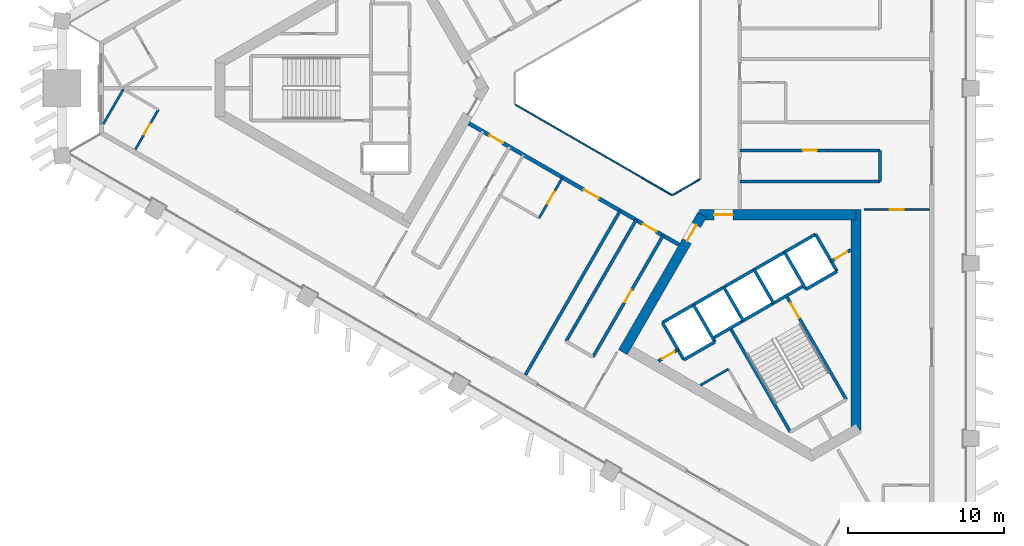
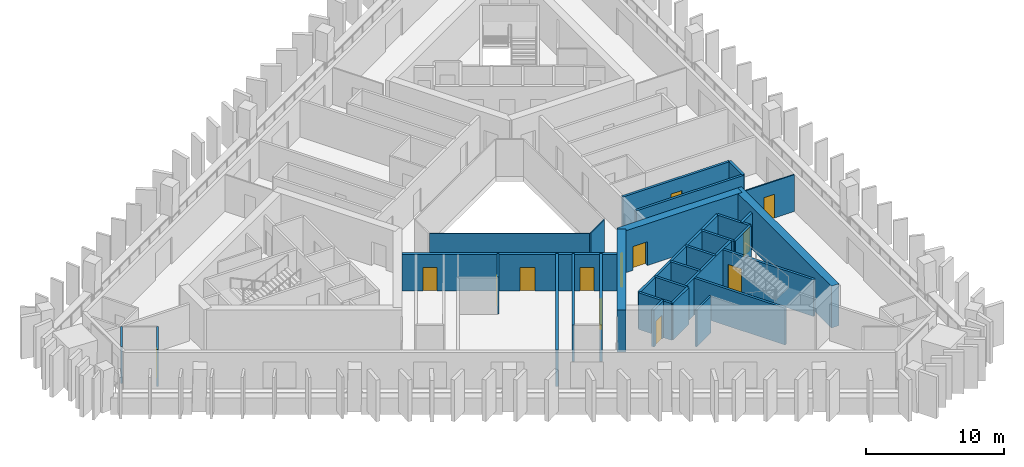
# One storey, part 3 of 11: 31 walls, 13 doors, 13 openings.
"""IFC4 building model written with IfcOpenShell, lengths in metres."""

from ifc_helpers import new_model, si_unit, direction, frame, frame_2d, origin, place, context, subcontext, project, spatial, rectangle, extrude, material, layer, layer_set, type_object, element, fill, save


model = new_model("IFC4")

# Units and contexts
model_context = context("Model", 3, precision=1e-05, world=origin(), true_north=direction((0.0, 1.0)))
body_context = subcontext(model_context, "Body", "Model", "MODEL_VIEW")
ifc_project = project(units=[si_unit("LENGTHUNIT", "METRE"), si_unit("AREAUNIT", "SQUARE_METRE"), si_unit("VOLUMEUNIT", "CUBIC_METRE"), si_unit("PLANEANGLEUNIT", "RADIAN"), si_unit("MASSUNIT", "GRAM", prefix="KILO")], contexts=[model_context])

# Site, building, storey
site_placement = place(None, origin())
site = spatial("IfcSite", under=ifc_project, at=site_placement, CompositionType="ELEMENT")
building_placement = place(site_placement, origin())
building = spatial("IfcBuilding", under=site, at=building_placement, Name="Jabali Bay Hotel Tower and Convention Centre", CompositionType="ELEMENT")
storey_placement = place(building_placement, frame((0.0, 0.0, 132.699951171875)))
storey = spatial("IfcBuildingStorey", under=building, at=storey_placement, Name="L32", CompositionType="ELEMENT", Elevation=132.699951171875)

# Walls
ifc_material_1 = material(Name="Fire-resistant glazing", Category="glass")
ifc_layer_1 = layer(ifc_material_1, 0.10009765625)
ifc_layer_set_1 = layer_set([ifc_layer_1], Name="Fire-resistant glazing")
wall_type_1 = type_object("IfcWallType", Name="Atrium glazed screen 100", PredefinedType="PARTITIONING", material=ifc_layer_set_1)
wall_1_placement = place(storey_placement, frame((67.7021484375, 78.947998046875, 0.0), z_axis=(0.0, 0.0, 1.0), x_axis=(0.866026658274, -0.499997827154, 0.0)))
element("IfcWall", 1, at=wall_1_placement, inside=storey, type_object=wall_type_1, Name="Atrium screen 5 L32", PredefinedType="PARTITIONING", context=body_context, shape_type="SweptSolid", body=[
    extrude(rectangle(XDim=11.58837890625, YDim=0.10009765625, at=frame_2d((5.794189453125, 0.0))), origin(), (0.0, 0.0, 1.0), 3.25),
])
wall_2_placement = place(storey_placement, frame((77.7978515625, 73.15380859375, 0.0), z_axis=(0.0, 0.0, 1.0), x_axis=(0.866041268327, 0.499972520799, 0.0)))
element("IfcWall", 2, at=wall_2_placement, inside=storey, type_object=wall_type_1, Name="Atrium screen 6 L32", PredefinedType="PARTITIONING", context=body_context, shape_type="SweptSolid", body=[
    extrude(rectangle(XDim=2.0, YDim=0.10009765625, at=frame_2d((1.0, 0.0))), origin(), (0.0, 0.0, 1.0), 3.25),
])

# Wall, opening, door
ifc_material_2 = material(Name="Concrete C40", Category="concrete")
ifc_layer_2 = layer(ifc_material_2, 0.199951171875)
ifc_layer_set_2 = layer_set([ifc_layer_2], Name="Concrete C40")
wall_type_2 = type_object("IfcWallType", Name="Core partition wall 200", PredefinedType="PARTITIONING", material=ifc_layer_set_2)
wall_3_placement = place(storey_placement, frame((76.869873046875, 62.489013671875, 0.0), z_axis=(0.0, 0.0, 1.0), x_axis=(0.866054810376, 0.49994906283, 0.0)))
wall_3 = element("IfcWall", 3, at=wall_3_placement, inside=storey, type_object=wall_type_2, Name="Core wall 2.11 L32", PredefinedType="PARTITIONING", context=body_context, shape_type="SweptSolid", body=[
    extrude(rectangle(XDim=1.461181640625, YDim=0.199951171875, at=frame_2d((0.73046875, 0.0))), origin(), (0.0, 0.0, 1.0), 3.25),
])
opening_1_placement = place(wall_3_placement, frame((0.280517578125, 0.0, 0.0)))
opening_1 = element("IfcOpeningElement", 4, at=opening_1_placement, cuts=wall_3, Name="Opening D719", PredefinedType="OPENING", context=body_context, shape_type="SweptSolid", body=[
    extrude(rectangle(XDim=0.89990234375, YDim=2.10009765625, at=frame_2d((0.449951171875, 1.050048828125))), frame((0.0, 0.1103515625, 0.0), z_axis=(0.0, -1.0, 0.0), x_axis=(1.0, 0.0, 0.0)), (0.0, 0.0, 1.0), 0.220947265625),
])
ifc_material_3 = material(Name="Fire-rated steel door", Category="steel")
door_type_1 = type_object("IfcDoorType", Name="Vestibule fire door 900 x 2100", OperationType="NOTDEFINED", PredefinedType="NOTDEFINED", material=ifc_material_3)
door_1_placement = place(opening_1_placement, origin())
door_1 = element("IfcDoor", 5, at=door_1_placement, inside=storey, type_object=door_type_1, Name="Vestibule fire door D719", OperationType="SINGLE_SWING_LEFT", OverallHeight=2.10009765625, OverallWidth=0.89990234375, PredefinedType="NOTDEFINED", context=body_context, shape_type="SweptSolid", body=[
    extrude(rectangle(XDim=0.89990234375, YDim=2.10009765625, at=frame_2d((0.449951171875, 1.050048828125))), frame((0.0, 0.02490234375, 0.0), z_axis=(0.0, -1.0, 0.0), x_axis=(1.0, 0.0, 0.0)), (0.0, 0.0, 1.0), 0.050048828125),
])
fill(opening_1, door_1)

wall_4_placement = place(storey_placement, frame((87.964599609375, 68.89453125, 0.0), z_axis=(0.0, 0.0, 1.0), x_axis=(0.866054810376, 0.49994906283, 0.0)))
wall_4 = element("IfcWall", 6, at=wall_4_placement, inside=storey, type_object=wall_type_2, Name="Core wall 2.12 L32", PredefinedType="PARTITIONING", context=body_context, shape_type="SweptSolid", body=[
    extrude(rectangle(XDim=1.461181640625, YDim=0.199951171875, at=frame_2d((0.73046875, 0.0))), origin(), (0.0, 0.0, 1.0), 3.25),
])
opening_2_placement = place(wall_4_placement, frame((0.280517578125, 0.0, 0.0)))
opening_2 = element("IfcOpeningElement", 7, at=opening_2_placement, cuts=wall_4, Name="Opening D718", PredefinedType="OPENING", context=body_context, shape_type="SweptSolid", body=[
    extrude(rectangle(XDim=0.89990234375, YDim=2.10009765625, at=frame_2d((0.449951171875, 1.050048828125))), frame((0.0, 0.1103515625, 0.0), z_axis=(0.0, -1.0, 0.0), x_axis=(1.0, 0.0, 0.0)), (0.0, 0.0, 1.0), 0.220947265625),
])
door_2_placement = place(opening_2_placement, origin())
door_2 = element("IfcDoor", 8, at=door_2_placement, inside=storey, type_object=door_type_1, Name="Vestibule fire door D718", OperationType="SINGLE_SWING_LEFT", OverallHeight=2.10009765625, OverallWidth=0.89990234375, PredefinedType="NOTDEFINED", context=body_context, shape_type="SweptSolid", body=[
    extrude(rectangle(XDim=0.89990234375, YDim=2.10009765625, at=frame_2d((0.449951171875, 1.050048828125))), frame((0.0, 0.02490234375, 0.0), z_axis=(0.0, -1.0, 0.0), x_axis=(1.0, 0.0, 0.0)), (0.0, 0.0, 1.0), 0.050048828125),
])
fill(opening_2, door_2)

# Walls
ifc_material_4 = material(Name="Fire-rated board partition")
ifc_layer_3 = layer(ifc_material_4, 0.14990234375)
ifc_layer_set_3 = layer_set([ifc_layer_3], Name="Fire-rated board partition")
wall_type_3 = type_object("IfcWallType", Name="Core room partition 150", PredefinedType="PARTITIONING", material=ifc_layer_set_3)
wall_5_placement = place(storey_placement, frame((79.570068359375, 60.93017578125, 0.0), z_axis=(0.0, 0.0, 1.0), x_axis=(0.866021168401, 0.500007335828, 0.0)))
element("IfcWall", 9, at=wall_5_placement, inside=storey, type_object=wall_type_3, Name="Core wall 2.16 L32", PredefinedType="PARTITIONING", context=body_context, shape_type="SweptSolid", body=[
    extrude(rectangle(XDim=2.0771484375, YDim=0.14990234375, at=frame_2d((1.03857421875, 0.0))), origin(), (0.0, 0.0, 1.0), 3.25),
])
ifc_layer_4 = layer(ifc_material_2, 0.199951171875)
ifc_layer_set_4 = layer_set([ifc_layer_4], Name="Concrete C40")
wall_type_4 = type_object("IfcWallType", Name="Core stair wall 200", PredefinedType="SOLIDWALL", material=ifc_layer_set_4)
for number, where, z_axis, x_axis, name in (
    (10, (77.13525390625, 64.95166015625, 0.0), (0.0, 0.0, 1.0), (0.499996545922, -0.866027397988, 0.0), "Core wall 2.0 L32"),
    (11, (79.127197265625, 66.1015625, 0.0), (0.0, 0.0, 1.0), (0.499996545922, -0.866027397988, 0.0), "Core wall 2.2 L32"),
):
    element("IfcWall", number, at=place(storey_placement, frame(where, z_axis=z_axis, x_axis=x_axis)), inside=storey, type_object=wall_type_4, Name=name, PredefinedType="SOLIDWALL", context=body_context, shape_type="SweptSolid", body=[
        extrude(rectangle(XDim=2.75, YDim=0.199951171875, at=frame_2d((1.375, 0.0))), origin(), (0.0, 0.0, 1.0), 3.25),
    ])
wall_6_placement = place(storey_placement, frame((81.492919921875, 64.603759765625, 0.0), z_axis=(0.0, 0.0, 1.0), x_axis=(0.500006057782, -0.866021906294, 0.0)))
element("IfcWall", 12, at=wall_6_placement, inside=storey, type_object=wall_type_4, Name="Core wall 2.3 L32", PredefinedType="SOLIDWALL", context=body_context, shape_type="SweptSolid", body=[
    extrude(rectangle(XDim=7.7001953125, YDim=0.199951171875, at=frame_2d((3.85009765625, 0.0))), origin(), (0.0, 0.0, 1.0), 3.25),
])
for number, where, z_axis, x_axis, name in (
    (13, (81.07568359375, 67.2265625, 0.0), (0.0, 0.0, 1.0), (0.50000366821, -0.866023285932, 0.0), "Core wall 2.4 L32"),
    (14, (83.024169921875, 68.3515625, 0.0), (0.0, 0.0, 1.0), (0.50000366821, -0.866023285932, 0.0), "Core wall 2.6 L32"),
):
    element("IfcWall", number, at=place(storey_placement, frame(where, z_axis=z_axis, x_axis=x_axis)), inside=storey, type_object=wall_type_4, Name=name, PredefinedType="SOLIDWALL", context=body_context, shape_type="SweptSolid", body=[
        extrude(rectangle(XDim=2.47998046875, YDim=0.199951171875, at=frame_2d((1.239990234375, 0.0))), origin(), (0.0, 0.0, 1.0), 3.25),
    ])

# Wall, opening, door
wall_7_placement = place(storey_placement, frame((85.0869140625, 66.6787109375, 0.0), z_axis=(0.0, 0.0, 1.0), x_axis=(0.500019787375, -0.866013979237, 0.0)))
wall_7 = element("IfcWall", 15, at=wall_7_placement, inside=storey, type_object=wall_type_4, Name="Core wall 2.7 L32", PredefinedType="SOLIDWALL", context=body_context, shape_type="SweptSolid", body=[
    extrude(rectangle(XDim=7.699951171875, YDim=0.199951171875, at=frame_2d((3.85009765625, 0.0))), origin(), (0.0, 0.0, 1.0), 3.25),
])
opening_3_placement = place(wall_7_placement, frame((0.550048828125, 0.0, 0.0)))
opening_3 = element("IfcOpeningElement", 16, at=opening_3_placement, cuts=wall_7, Name="Opening D720", PredefinedType="OPENING", context=body_context, shape_type="SweptSolid", body=[
    extrude(rectangle(XDim=1.10009765625, YDim=2.10009765625, at=frame_2d((0.550048828125, 1.050048828125))), frame((0.0, 0.1103515625, 0.0), z_axis=(0.0, -1.0, 0.0), x_axis=(1.0, 0.0, 0.0)), (0.0, 0.0, 1.0), 0.220947265625),
])
door_type_2 = type_object("IfcDoorType", Name="Stair fire door 1100 x 2100", OperationType="NOTDEFINED", PredefinedType="NOTDEFINED", material=ifc_material_3)
door_3_placement = place(opening_3_placement, origin())
door_3 = element("IfcDoor", 17, at=door_3_placement, inside=storey, type_object=door_type_2, Name="Stair fire door D720", OperationType="SINGLE_SWING_RIGHT", OverallHeight=2.10009765625, OverallWidth=1.10009765625, PredefinedType="NOTDEFINED", context=body_context, shape_type="SweptSolid", body=[
    extrude(rectangle(XDim=1.10009765625, YDim=2.10009765625, at=frame_2d((0.550048828125, 1.050048828125))), frame((0.0, 0.02490234375, 0.0), z_axis=(0.0, -1.0, 0.0), x_axis=(1.0, 0.0, 0.0)), (0.0, 0.0, 1.0), 0.050048828125),
])
fill(opening_3, door_3)

# Walls
for number, where, z_axis, x_axis, name in (
    (18, (84.972900390625, 69.4765625, 0.0), (0.0, 0.0, 1.0), (0.499996545922, -0.866027397988, 0.0), "Core wall 2.8 L32"),
    (19, (86.964599609375, 70.62646484375, 0.0), (0.0, 0.0, 1.0), (0.499996545922, -0.866027397988, 0.0), "Core wall 2.9 L32"),
):
    element("IfcWall", number, at=place(storey_placement, frame(where, z_axis=z_axis, x_axis=x_axis)), inside=storey, type_object=wall_type_4, Name=name, PredefinedType="SOLIDWALL", context=body_context, shape_type="SweptSolid", body=[
        extrude(rectangle(XDim=2.75, YDim=0.199951171875, at=frame_2d((1.375, 0.0))), origin(), (0.0, 0.0, 1.0), 3.25),
    ])
wall_8_placement = place(storey_placement, frame((77.13525390625, 64.95166015625, 0.0), z_axis=(0.0, 0.0, 1.0), x_axis=(0.866031916153, 0.499988720078, 0.0)))
element("IfcWall", 20, at=wall_8_placement, inside=storey, type_object=wall_type_4, Name="Core wall 2.10 L32", PredefinedType="SOLIDWALL", context=body_context, shape_type="SweptSolid", body=[
    extrude(rectangle(XDim=11.349853515625, YDim=0.199951171875, at=frame_2d((5.6748046875, 0.0))), origin(), (0.0, 0.0, 1.0), 3.25),
])
wall_9_placement = place(storey_placement, frame((80.3671875, 63.953857421875, 0.0), z_axis=(0.0, 0.0, 1.0), x_axis=(0.866026575979, 0.499997969693, 0.0)))
element("IfcWall", 21, at=wall_9_placement, inside=storey, type_object=wall_type_4, Name="Core wall 2.13 L32", PredefinedType="SOLIDWALL", context=body_context, shape_type="SweptSolid", body=[
    extrude(rectangle(XDim=6.75, YDim=0.199951171875, at=frame_2d((3.375, 0.0))), origin(), (0.0, 0.0, 1.0), 3.25),
])
wall_10_placement = place(storey_placement, frame((78.51025390625, 62.570068359375, 0.0), z_axis=(0.0, 0.0, 1.0), x_axis=(0.866053019151, 0.499952165731, 0.0)))
element("IfcWall", 22, at=wall_10_placement, inside=storey, type_object=wall_type_4, Name="Core wall 2.14 L32", PredefinedType="SOLIDWALL", context=body_context, shape_type="SweptSolid", body=[
    extrude(rectangle(XDim=2.300048828125, YDim=0.199951171875, at=frame_2d((1.14990234375, 0.0))), origin(), (0.0, 0.0, 1.0), 3.25),
])
wall_11_placement = place(storey_placement, frame((86.347900390625, 67.094970703125, 0.0), z_axis=(0.0, 0.0, 1.0), x_axis=(0.86602648383, 0.499998129301, 0.0)))
element("IfcWall", 23, at=wall_11_placement, inside=storey, type_object=wall_type_4, Name="Core wall 2.15 L32", PredefinedType="SOLIDWALL", context=body_context, shape_type="SweptSolid", body=[
    extrude(rectangle(XDim=2.2998046875, YDim=0.199951171875, at=frame_2d((1.14990234375, 0.0))), origin(), (0.0, 0.0, 1.0), 3.25),
])

# Wall, opening, door
ifc_material_5 = material(Name="Concrete C60", Category="concrete")
ifc_layer_5 = layer(ifc_material_5, 0.64990234375)
ifc_layer_set_5 = layer_set([ifc_layer_5], Name="Concrete C60")
wall_type_5 = type_object("IfcWallType", Name="Core wall 650", PredefinedType="SHEAR", material=ifc_layer_set_5)
wall_12_placement = place(storey_placement, frame((79.687744140625, 71.880859375, 0.0), z_axis=(0.0, 0.0, 1.0), x_axis=(-0.49999822179, -0.866026430432, 0.0)))
wall_12 = element("IfcWall", 24, at=wall_12_placement, inside=storey, type_object=wall_type_5, Name="Core wall 3.1 L32", PredefinedType="SHEAR", context=body_context, shape_type="SweptSolid", body=[
    extrude(rectangle(XDim=10.1923828125, YDim=0.64990234375, at=frame_2d((5.09619140625, 0.0))), origin(), (0.0, 0.0, 1.0), 3.699951171875),
])
opening_4_placement = place(wall_12_placement, frame((0.762451171875, 0.0, 0.0)))
opening_4 = element("IfcOpeningElement", 25, at=opening_4_placement, cuts=wall_12, Name="Opening D716", PredefinedType="OPENING", context=body_context, shape_type="SweptSolid", body=[
    extrude(rectangle(XDim=1.199951171875, YDim=2.10009765625, at=frame_2d((0.60009765625, 1.050048828125))), frame((0.0, 0.33544921875, 0.0), z_axis=(0.0, -1.0, 0.0), x_axis=(1.0, 0.0, 0.0)), (0.0, 0.0, 1.0), 0.6708984375),
])
door_type_3 = type_object("IfcDoorType", Name="Corridor end fire door 1200 x 2100", OperationType="NOTDEFINED", PredefinedType="NOTDEFINED", material=ifc_material_3)
door_4_placement = place(opening_4_placement, origin())
door_4 = element("IfcDoor", 26, at=door_4_placement, inside=storey, type_object=door_type_3, Name="Corridor end fire door D716", OperationType="SINGLE_SWING_RIGHT", OverallHeight=2.10009765625, OverallWidth=1.199951171875, PredefinedType="NOTDEFINED", context=body_context, shape_type="SweptSolid", body=[
    extrude(rectangle(XDim=1.199951171875, YDim=2.10009765625, at=frame_2d((0.60009765625, 1.050048828125))), frame((0.0, 0.02490234375, 0.0), z_axis=(0.0, -1.0, 0.0), x_axis=(1.0, 0.0, 0.0)), (0.0, 0.0, 1.0), 0.050048828125),
])
fill(opening_4, door_4)

# Wall
wall_13_placement = place(storey_placement, frame((89.554931640625, 58.06005859375, 0.0), z_axis=(0.0, 0.0, 1.0), x_axis=(0.0, 1.0, 0.0)))
element("IfcWall", 27, at=wall_13_placement, inside=storey, type_object=wall_type_5, Name="Core wall 3.4 L32", PredefinedType="SHEAR", context=body_context, shape_type="SweptSolid", body=[
    extrude(rectangle(XDim=14.145751953125, YDim=0.64990234375, at=frame_2d((7.07275390625, 0.0))), origin(), (0.0, 0.0, 1.0), 3.699951171875),
])

# Wall, opening, door
wall_14_placement = place(storey_placement, frame((89.554931640625, 71.880859375, 0.0), z_axis=(0.0, 0.0, 1.0), x_axis=(-1.0, 0.0, 0.0)))
wall_14 = element("IfcWall", 28, at=wall_14_placement, inside=storey, type_object=wall_type_5, Name="Core wall 3.5 L32", PredefinedType="SHEAR", context=body_context, shape_type="SweptSolid", body=[
    extrude(rectangle(XDim=10.054931640625, YDim=0.64990234375, at=frame_2d((5.02734375, 0.0))), origin(), (0.0, 0.0, 1.0), 3.699951171875),
])
opening_5_placement = place(wall_14_placement, frame((7.905029296875, 0.0, 0.0)))
opening_5 = element("IfcOpeningElement", 29, at=opening_5_placement, cuts=wall_14, Name="Opening D717", PredefinedType="OPENING", context=body_context, shape_type="SweptSolid", body=[
    extrude(rectangle(XDim=1.199951171875, YDim=2.10009765625, at=frame_2d((0.60009765625, 1.050048828125))), frame((0.0, 0.33544921875, 0.0), z_axis=(0.0, -1.0, 0.0), x_axis=(1.0, 0.0, 0.0)), (0.0, 0.0, 1.0), 0.6708984375),
])
door_5_placement = place(opening_5_placement, origin())
door_5 = element("IfcDoor", 30, at=door_5_placement, inside=storey, type_object=door_type_3, Name="Corridor end fire door D717", OperationType="SINGLE_SWING_LEFT", OverallHeight=2.10009765625, OverallWidth=1.199951171875, PredefinedType="NOTDEFINED", context=body_context, shape_type="SweptSolid", body=[
    extrude(rectangle(XDim=1.199951171875, YDim=2.10009765625, at=frame_2d((0.60009765625, 1.050048828125))), frame((0.0, 0.02490234375, 0.0), z_axis=(0.0, -1.0, 0.0), x_axis=(1.0, 0.0, 0.0)), (0.0, 0.0, 1.0), 0.050048828125),
])
fill(opening_5, door_5)

# Wall, openings, doors
ifc_layer_6 = layer(ifc_material_5, 0.25)
ifc_layer_set_6 = layer_set([ifc_layer_6], Name="Concrete C60")
wall_type_6 = type_object("IfcWallType", Name="Corridor wall 250", PredefinedType="SHEAR", material=ifc_layer_set_6)
wall_15_placement = place(storey_placement, frame((64.699951171875, 77.748291015625, 0.0), z_axis=(0.0, 0.0, 1.0), x_axis=(0.866026492143, -0.499998114903, 0.0)))
wall_15 = element("IfcWall", 31, at=wall_15_placement, inside=storey, type_object=wall_type_6, Name="Corridor wall 3 L32", PredefinedType="SHEAR", context=body_context, shape_type="SweptSolid", body=[
    extrude(rectangle(XDim=15.58837890625, YDim=0.25, at=frame_2d((7.794189453125, 0.0))), origin(), (0.0, 0.0, 1.0), 3.25),
])
opening_6_placement = place(wall_15_placement, frame((1.526611328125, 0.0, 0.0)))
opening_6 = element("IfcOpeningElement", 32, at=opening_6_placement, cuts=wall_15, Name="Opening 3221", PredefinedType="OPENING", context=body_context, shape_type="SweptSolid", body=[
    extrude(rectangle(XDim=1.0, YDim=2.10009765625, at=frame_2d((0.5, 1.050048828125))), frame((0.0, 0.135498046875, 0.0), z_axis=(0.0, -1.0, 0.0), x_axis=(1.0, 0.0, 0.0)), (0.0, 0.0, 1.0), 0.27099609375),
])
opening_7_placement = place(wall_15_placement, frame((8.538330078125, 0.0, 0.0)))
opening_7 = element("IfcOpeningElement", 33, at=opening_7_placement, cuts=wall_15, Name="Opening 3226", PredefinedType="OPENING", context=body_context, shape_type="SweptSolid", body=[
    extrude(rectangle(XDim=1.10009765625, YDim=2.10009765625, at=frame_2d((0.550048828125, 1.050048828125))), frame((0.0, 0.135498046875, 0.0), z_axis=(0.0, -1.0, 0.0), x_axis=(1.0, 0.0, 0.0)), (0.0, 0.0, 1.0), 0.27099609375),
])
opening_8_placement = place(wall_15_placement, frame((12.906005859375, 0.0, 0.0)))
opening_8 = element("IfcOpeningElement", 34, at=opening_8_placement, cuts=wall_15, Name="Opening 3227", PredefinedType="OPENING", context=body_context, shape_type="SweptSolid", body=[
    extrude(rectangle(XDim=1.0, YDim=2.10009765625, at=frame_2d((0.5, 1.050048828125))), frame((0.0, 0.135498046875, 0.0), z_axis=(0.0, -1.0, 0.0), x_axis=(1.0, 0.0, 0.0)), (0.0, 0.0, 1.0), 0.27099609375),
])
ifc_material_6 = material(Name="Timber", Category="wood")
door_type_4 = type_object("IfcDoorType", Name="Accessible guest room door 1100 x 2100", OperationType="NOTDEFINED", PredefinedType="NOTDEFINED", material=ifc_material_6)
door_6_placement = place(opening_7_placement, origin())
door_6 = element("IfcDoor", 35, at=door_6_placement, inside=storey, type_object=door_type_4, Name="Door 3226", OperationType="SINGLE_SWING_RIGHT", OverallHeight=2.10009765625, OverallWidth=1.10009765625, PredefinedType="NOTDEFINED", context=body_context, shape_type="SweptSolid", body=[
    extrude(rectangle(XDim=1.10009765625, YDim=2.10009765625, at=frame_2d((0.550048828125, 1.050048828125))), frame((0.0, 0.02490234375, 0.0), z_axis=(0.0, -1.0, 0.0), x_axis=(1.0, 0.0, 0.0)), (0.0, 0.0, 1.0), 0.050048828125),
])
fill(opening_7, door_6)
door_type_5 = type_object("IfcDoorType", Name="Guest room door 1000 x 2100", OperationType="NOTDEFINED", PredefinedType="NOTDEFINED", material=ifc_material_6)
door_7_placement = place(opening_6_placement, origin())
door_7 = element("IfcDoor", 36, at=door_7_placement, inside=storey, type_object=door_type_5, Name="Door 3221", OperationType="SINGLE_SWING_LEFT", OverallHeight=2.10009765625, OverallWidth=1.0, PredefinedType="NOTDEFINED", context=body_context, shape_type="SweptSolid", body=[
    extrude(rectangle(XDim=1.0, YDim=2.10009765625, at=frame_2d((0.5, 1.050048828125))), frame((0.0, 0.02490234375, 0.0), z_axis=(0.0, -1.0, 0.0), x_axis=(1.0, 0.0, 0.0)), (0.0, 0.0, 1.0), 0.050048828125),
])
fill(opening_6, door_7)
door_8_placement = place(opening_8_placement, origin())
door_8 = element("IfcDoor", 37, at=door_8_placement, inside=storey, type_object=door_type_5, Name="Door 3227", OperationType="SINGLE_SWING_RIGHT", OverallHeight=2.10009765625, OverallWidth=1.0, PredefinedType="NOTDEFINED", context=body_context, shape_type="SweptSolid", body=[
    extrude(rectangle(XDim=1.0, YDim=2.10009765625, at=frame_2d((0.5, 1.050048828125))), frame((0.0, 0.02490234375, 0.0), z_axis=(0.0, -1.0, 0.0), x_axis=(1.0, 0.0, 0.0)), (0.0, 0.0, 1.0), 0.050048828125),
])
fill(opening_8, door_8)

# Wall, opening, door
ifc_material_7 = material(Name="Plasterboard on steel stud", Category="steel")
ifc_layer_7 = layer(ifc_material_7, 0.10009765625)
ifc_layer_set_7 = layer_set([ifc_layer_7], Name="Plasterboard on steel stud")
wall_type_7 = type_object("IfcWallType", Name="Partition 100 unit", PredefinedType="PARTITIONING", material=ifc_layer_set_7)
wall_16_placement = place(storey_placement, frame((90.0791015625, 72.205810546875, 0.0), z_axis=(0.0, 0.0, 1.0), x_axis=(1.0, 0.0, 0.0)))
wall_16 = element("IfcWall", 38, at=wall_16_placement, inside=storey, type_object=wall_type_7, Name="Partition P02 L32 001", PredefinedType="PARTITIONING", context=body_context, shape_type="SweptSolid", body=[
    extrude(rectangle(XDim=4.198486328125, YDim=0.10009765625, at=frame_2d((2.09912109375, 0.0))), origin(), (0.0, 0.0, 1.0), 3.25),
])
opening_9_placement = place(wall_16_placement, frame((1.64892578125, 0.0, 0.0)))
opening_9 = element("IfcOpeningElement", 39, at=opening_9_placement, cuts=wall_16, Name="Opening 3202", PredefinedType="OPENING", context=body_context, shape_type="SweptSolid", body=[
    extrude(rectangle(XDim=0.89990234375, YDim=2.10009765625, at=frame_2d((0.449951171875, 1.050048828125))), frame((0.0, 0.060546875, 0.0), z_axis=(0.0, -1.0, 0.0), x_axis=(1.0, 0.0, 0.0)), (0.0, 0.0, 1.0), 0.12109375),
])
door_type_6 = type_object("IfcDoorType", Name="Internal door 900 x 2100", OperationType="NOTDEFINED", PredefinedType="NOTDEFINED", material=ifc_material_6)
door_9_placement = place(opening_9_placement, origin())
door_9 = element("IfcDoor", 40, at=door_9_placement, inside=storey, type_object=door_type_6, Name="Door 3202", OperationType="SINGLE_SWING_LEFT", OverallHeight=2.10009765625, OverallWidth=0.89990234375, PredefinedType="NOTDEFINED", context=body_context, shape_type="SweptSolid", body=[
    extrude(rectangle(XDim=0.89990234375, YDim=2.10009765625, at=frame_2d((0.449951171875, 1.050048828125))), frame((0.0, 0.02490234375, 0.0), z_axis=(0.0, -1.0, 0.0), x_axis=(1.0, 0.0, 0.0)), (0.0, 0.0, 1.0), 0.050048828125),
])
fill(opening_9, door_9)

# Wall
ifc_layer_8 = layer(ifc_material_7, 0.14990234375)
ifc_layer_set_8 = layer_set([ifc_layer_8], Name="Plasterboard on steel stud")
wall_type_8 = type_object("IfcWallType", Name="Partition 150 wet", PredefinedType="PARTITIONING", material=ifc_layer_set_8)
wall_17_placement = place(storey_placement, frame((41.245849609375, 77.7177734375, 0.0), z_axis=(0.0, 0.0, 1.0), x_axis=(0.500017793695, 0.866015130346, 0.0)))
element("IfcWall", 41, at=wall_17_placement, inside=storey, type_object=wall_type_8, Name="Partition P03 L32 047", PredefinedType="PARTITIONING", context=body_context, shape_type="SweptSolid", body=[
    extrude(rectangle(XDim=2.55224609375, YDim=0.14990234375, at=frame_2d((1.276123046875, 0.0))), origin(), (0.0, 0.0, 1.0), 3.25),
])

# Wall, opening, door
wall_18_placement = place(storey_placement, frame((44.7734375, 78.6279296875, 0.0), z_axis=(0.0, 0.0, 1.0), x_axis=(-0.499976855651, -0.866038765768, 0.0)))
wall_18 = element("IfcWall", 42, at=wall_18_placement, inside=storey, type_object=wall_type_8, Name="Partition P03 L32 049", PredefinedType="PARTITIONING", context=body_context, shape_type="SweptSolid", body=[
    extrude(rectangle(XDim=2.935302734375, YDim=0.14990234375, at=frame_2d((1.4677734375, 0.0))), origin(), (0.0, 0.0, 1.0), 3.25),
])
opening_10_placement = place(wall_18_placement, frame((1.050048828125, 0.0, 0.0)))
opening_10 = element("IfcOpeningElement", 43, at=opening_10_placement, cuts=wall_18, Name="Opening 3223", PredefinedType="OPENING", context=body_context, shape_type="SweptSolid", body=[
    extrude(rectangle(XDim=0.800048828125, YDim=2.10009765625, at=frame_2d((0.39990234375, 1.050048828125))), frame((0.0, 0.08544921875, 0.0), z_axis=(0.0, -1.0, 0.0), x_axis=(1.0, 0.0, 0.0)), (0.0, 0.0, 1.0), 0.1708984375),
])
door_type_7 = type_object("IfcDoorType", Name="En-suite door 800 x 2100", OperationType="NOTDEFINED", PredefinedType="NOTDEFINED", material=ifc_material_6)
door_10_placement = place(opening_10_placement, origin())
door_10 = element("IfcDoor", 44, at=door_10_placement, inside=storey, type_object=door_type_7, Name="Door 3223", OperationType="SINGLE_SWING_LEFT", OverallHeight=2.10009765625, OverallWidth=0.800048828125, PredefinedType="NOTDEFINED", context=body_context, shape_type="SweptSolid", body=[
    extrude(rectangle(XDim=0.800048828125, YDim=2.10009765625, at=frame_2d((0.39990234375, 1.050048828125))), frame((0.0, 0.02490234375, 0.0), z_axis=(0.0, -1.0, 0.0), x_axis=(1.0, 0.0, 0.0)), (0.0, 0.0, 1.0), 0.050048828125),
])
fill(opening_10, door_10)

wall_19_placement = place(storey_placement, frame((70.721435546875, 74.271728515625, 0.0), z_axis=(0.0, 0.0, 1.0), x_axis=(-0.50002537861, -0.866010750942, 0.0)))
wall_19 = element("IfcWall", 45, at=wall_19_placement, inside=storey, type_object=wall_type_8, Name="Partition P03 L32 050", PredefinedType="PARTITIONING", context=body_context, shape_type="SweptSolid", body=[
    extrude(rectangle(XDim=2.999755859375, YDim=0.14990234375, at=frame_2d((1.5, 0.0))), origin(), (0.0, 0.0, 1.0), 3.25),
])
opening_11_placement = place(wall_19_placement, frame((1.050048828125, 0.0, 0.0)))
opening_11 = element("IfcOpeningElement", 46, at=opening_11_placement, cuts=wall_19, Name="Opening 3225", PredefinedType="OPENING", context=body_context, shape_type="SweptSolid", body=[
    extrude(rectangle(XDim=0.89990234375, YDim=2.10009765625, at=frame_2d((0.449951171875, 1.050048828125))), frame((0.0, 0.08544921875, 0.0), z_axis=(0.0, -1.0, 0.0), x_axis=(1.0, 0.0, 0.0)), (0.0, 0.0, 1.0), 0.1708984375),
])
door_type_8 = type_object("IfcDoorType", Name="Accessible en-suite door 900 x 2100", OperationType="NOTDEFINED", PredefinedType="NOTDEFINED", material=ifc_material_6)
door_11_placement = place(opening_11_placement, origin())
door_11 = element("IfcDoor", 47, at=door_11_placement, inside=storey, type_object=door_type_8, Name="Door 3225", OperationType="SINGLE_SWING_RIGHT", OverallHeight=2.10009765625, OverallWidth=0.89990234375, PredefinedType="NOTDEFINED", context=body_context, shape_type="SweptSolid", body=[
    extrude(rectangle(XDim=0.89990234375, YDim=2.10009765625, at=frame_2d((0.449951171875, 1.050048828125))), frame((0.0, 0.02490234375, 0.0), z_axis=(0.0, -1.0, 0.0), x_axis=(1.0, 0.0, 0.0)), (0.0, 0.0, 1.0), 0.050048828125),
])
fill(opening_11, door_11)

ifc_layer_9 = layer(ifc_material_7, 0.199951171875)
ifc_layer_set_9 = layer_set([ifc_layer_9], Name="Plasterboard on steel stud")
wall_type_9 = type_object("IfcWallType", Name="Partition 200 party", PredefinedType="PARTITIONING", material=ifc_layer_set_9)
wall_20_placement = place(storey_placement, frame((82.10009765625, 76.01171875, 0.0), z_axis=(0.0, 0.0, 1.0), x_axis=(1.0, 0.0, 0.0)))
wall_20 = element("IfcWall", 48, at=wall_20_placement, inside=storey, type_object=wall_type_9, Name="Partition P01 L32 002", PredefinedType="PARTITIONING", context=body_context, shape_type="SweptSolid", body=[
    extrude(rectangle(XDim=9.0, YDim=0.199951171875, at=frame_2d((4.5, 0.0))), origin(), (0.0, 0.0, 1.0), 3.25),
])
opening_12_placement = place(wall_20_placement, frame((4.050048828125, 0.0, 0.0)))
opening_12 = element("IfcOpeningElement", 49, at=opening_12_placement, cuts=wall_20, Name="Opening 3204", PredefinedType="OPENING", context=body_context, shape_type="SweptSolid", body=[
    extrude(rectangle(XDim=0.89990234375, YDim=2.10009765625, at=frame_2d((0.449951171875, 1.050048828125))), frame((0.0, 0.1103515625, 0.0), z_axis=(0.0, -1.0, 0.0), x_axis=(1.0, 0.0, 0.0)), (0.0, 0.0, 1.0), 0.220947265625),
])
door_12_placement = place(opening_12_placement, origin())
door_12 = element("IfcDoor", 50, at=door_12_placement, inside=storey, type_object=door_type_6, Name="Door 3204", OperationType="SINGLE_SWING_RIGHT", OverallHeight=2.10009765625, OverallWidth=0.89990234375, PredefinedType="NOTDEFINED", context=body_context, shape_type="SweptSolid", body=[
    extrude(rectangle(XDim=0.89990234375, YDim=2.10009765625, at=frame_2d((0.449951171875, 1.050048828125))), frame((0.0, 0.02490234375, 0.0), z_axis=(0.0, -1.0, 0.0), x_axis=(1.0, 0.0, 0.0)), (0.0, 0.0, 1.0), 0.050048828125),
])
fill(opening_12, door_12)

# Walls
wall_21_placement = place(storey_placement, frame((91.10009765625, 76.01171875, 0.0), z_axis=(0.0, 0.0, 1.0), x_axis=(0.0, -1.0, 0.0)))
element("IfcWall", 51, at=wall_21_placement, inside=storey, type_object=wall_type_9, Name="Partition P01 L32 003", PredefinedType="PARTITIONING", context=body_context, shape_type="SweptSolid", body=[
    extrude(rectangle(XDim=2.0, YDim=0.199951171875, at=frame_2d((1.0, 0.0))), origin(), (0.0, 0.0, 1.0), 3.25),
])
wall_22_placement = place(storey_placement, frame((91.10009765625, 74.01171875, 0.0), z_axis=(0.0, 0.0, 1.0), x_axis=(-1.0, 0.0, 0.0)))
element("IfcWall", 52, at=wall_22_placement, inside=storey, type_object=wall_type_9, Name="Partition P01 L32 004", PredefinedType="PARTITIONING", context=body_context, shape_type="SweptSolid", body=[
    extrude(rectangle(XDim=9.0, YDim=0.199951171875, at=frame_2d((4.5, 0.0))), origin(), (0.0, 0.0, 1.0), 3.25),
])
wall_23_placement = place(storey_placement, frame((68.331298828125, 61.59033203125, 0.0), z_axis=(0.0, 0.0, 1.0), x_axis=(0.499987977232, 0.866032345022, 0.0)))
element("IfcWall", 53, at=wall_23_placement, inside=storey, type_object=wall_type_9, Name="Partition P01 L32 052", PredefinedType="PARTITIONING", context=body_context, shape_type="SweptSolid", body=[
    extrude(rectangle(XDim=12.177490234375, YDim=0.199951171875, at=frame_2d((6.0888671875, 0.0))), origin(), (0.0, 0.0, 1.0), 3.25),
])

# Wall, opening, door
wall_24_placement = place(storey_placement, frame((77.176025390625, 70.54541015625, 0.0), z_axis=(0.0, 0.0, 1.0), x_axis=(-0.499990139034, -0.866031096941, 0.0)))
wall_24 = element("IfcWall", 54, at=wall_24_placement, inside=storey, type_object=wall_type_9, Name="Partition P01 L32 054", PredefinedType="PARTITIONING", context=body_context, shape_type="SweptSolid", body=[
    extrude(rectangle(XDim=9.000244140625, YDim=0.199951171875, at=frame_2d((4.5, 0.0))), origin(), (0.0, 0.0, 1.0), 3.25),
])
opening_13_placement = place(wall_24_placement, frame((4.050048828125, 0.0, 0.0)))
opening_13 = element("IfcOpeningElement", 55, at=opening_13_placement, cuts=wall_24, Name="Opening 3230", PredefinedType="OPENING", context=body_context, shape_type="SweptSolid", body=[
    extrude(rectangle(XDim=0.89990234375, YDim=2.10009765625, at=frame_2d((0.449951171875, 1.050048828125))), frame((0.0, 0.1103515625, 0.0), z_axis=(0.0, -1.0, 0.0), x_axis=(1.0, 0.0, 0.0)), (0.0, 0.0, 1.0), 0.220947265625),
])
door_13_placement = place(opening_13_placement, origin())
door_13 = element("IfcDoor", 56, at=door_13_placement, inside=storey, type_object=door_type_6, Name="Door 3230", OperationType="SINGLE_SWING_LEFT", OverallHeight=2.10009765625, OverallWidth=0.89990234375, PredefinedType="NOTDEFINED", context=body_context, shape_type="SweptSolid", body=[
    extrude(rectangle(XDim=0.89990234375, YDim=2.10009765625, at=frame_2d((0.449951171875, 1.050048828125))), frame((0.0, 0.02490234375, 0.0), z_axis=(0.0, -1.0, 0.0), x_axis=(1.0, 0.0, 0.0)), (0.0, 0.0, 1.0), 0.050048828125),
])
fill(opening_13, door_13)

# Wall
wall_25_placement = place(storey_placement, frame((70.944091796875, 63.7509765625, 0.0), z_axis=(0.0, 0.0, 1.0), x_axis=(0.499990139034, 0.866031096941, 0.0)))
element("IfcWall", 57, at=wall_25_placement, inside=storey, type_object=wall_type_9, Name="Partition P01 L32 056", PredefinedType="PARTITIONING", context=body_context, shape_type="SweptSolid", body=[
    extrude(rectangle(XDim=9.000244140625, YDim=0.199951171875, at=frame_2d((4.5, 0.0))), origin(), (0.0, 0.0, 1.0), 3.25),
])

save(model, "model.ifc")
